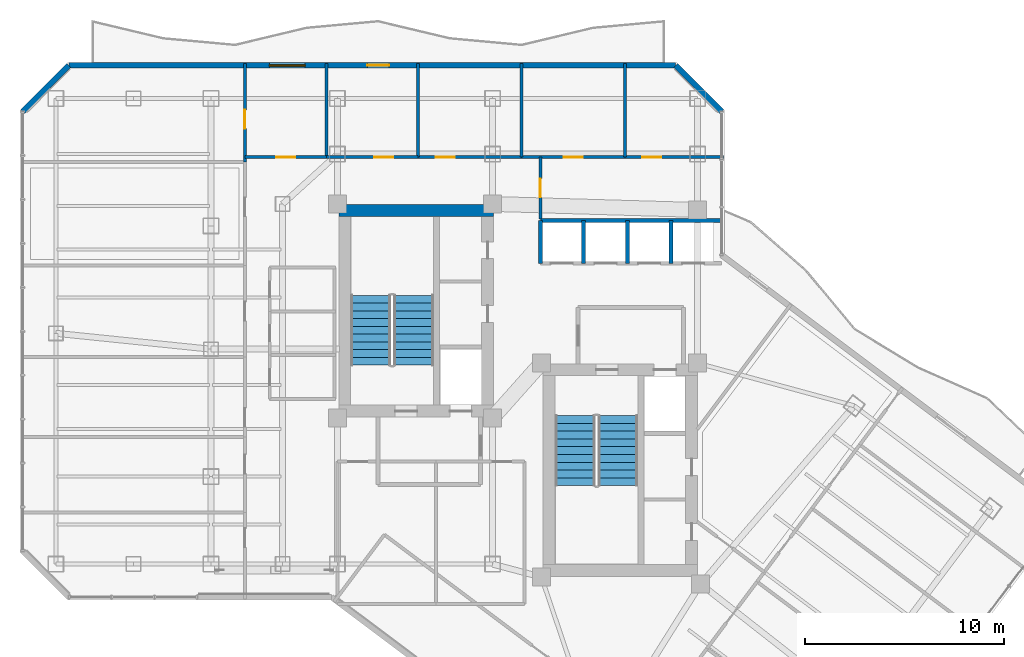
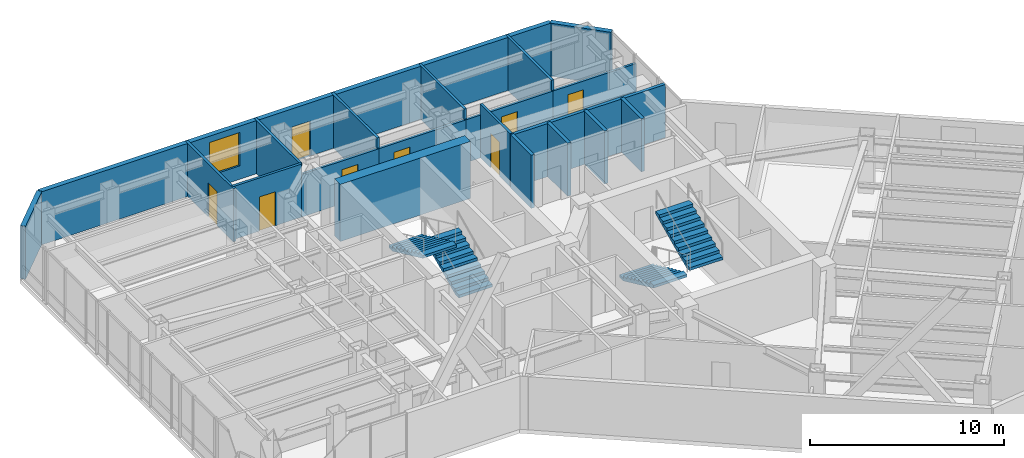
# One storey, part 24 of 27: 20 walls, 8 doors, 4 stair flights, 1 window, 9 openings, 2 elements without a shape of their own.
"""IFC4 building model written with IfcOpenShell, lengths in metres."""

from ifc_helpers import new_model, si_unit, direction, frame, frame_2d, origin, place, context, subcontext, project, spatial, polyline, rectangle, outline, extrude, material, layer, layer_set, type_object, element, fill, aggregate, save


model = new_model("IFC4")

# Units and contexts
model_context = context("Model", 3, precision=1e-05, world=origin(), true_north=direction((0.0, 1.0)))
body_context = subcontext(model_context, "Body", "Model", "MODEL_VIEW")
ifc_project = project(units=[si_unit("LENGTHUNIT", "METRE"), si_unit("AREAUNIT", "SQUARE_METRE"), si_unit("VOLUMEUNIT", "CUBIC_METRE"), si_unit("PLANEANGLEUNIT", "RADIAN"), si_unit("MASSUNIT", "GRAM", prefix="KILO")], contexts=[model_context])

# Site, building, storey
site_placement = place(None, origin())
site = spatial("IfcSite", under=ifc_project, at=site_placement, CompositionType="ELEMENT")
building_placement = place(site_placement, origin())
building = spatial("IfcBuilding", under=site, at=building_placement, Name="Hatsunagi Terrace Concourse", CompositionType="ELEMENT")
storey_placement = place(building_placement, frame((0.0, 0.0, 167.25)))
storey = spatial("IfcBuildingStorey", under=building, at=storey_placement, Name="L44", CompositionType="ELEMENT", Elevation=167.25)

# Wall
ifc_material_1 = material(Name="Concrete Fc48", Category="concrete")
ifc_layer_1 = layer(ifc_material_1, 0.60009765625)
ifc_layer_set_1 = layer_set([ifc_layer_1], Name="CoreShearWall_Fc48_600")
wall_type_1 = type_object("IfcWallType", Name="CoreShearWall_Fc48_600", PredefinedType="SHEAR", material=ifc_layer_set_1)
wall_1_placement = place(storey_placement, frame((25.6201171875, 42.969970703125, 0.0), z_axis=(0.0, 0.0, 1.0), x_axis=(1.0, 0.0, 0.0)))
element("IfcWall", 1, at=wall_1_placement, inside=storey, type_object=wall_type_1, Name="Core A Shear Wall N L44", PredefinedType="SHEAR", context=body_context, shape_type="SweptSolid", body=[
    extrude(rectangle(XDim=7.77978515625, YDim=0.60009765625, at=frame_2d((3.889892578125, 0.0))), origin(), (0.0, 0.0, 1.0), 3.60009765625),
])

# Wall, opening, door
ifc_material_2 = material(Name="Acoustic mineral board", Category="gypsum")
ifc_layer_2 = layer(ifc_material_2, 0.14990234375)
ifc_layer_set_2 = layer_set([ifc_layer_2], Name="PartitionWall_EI60_150")
wall_type_2 = type_object("IfcWallType", Name="PartitionWall_EI60_150", PredefinedType="PARTITIONING", material=ifc_layer_set_2)
wall_2_placement = place(storey_placement, frame((20.89990234375, 45.39990234375, 0.0), z_axis=(0.0, 0.0, 1.0), x_axis=(0.0, 1.0, 0.0)))
wall_2 = element("IfcWall", 2, at=wall_2_placement, inside=storey, type_object=wall_type_2, Name="Interior Partition IW-L44-042", PredefinedType="PARTITIONING", context=body_context, shape_type="SweptSolid", body=[
    extrude(rectangle(XDim=4.960205078125, YDim=0.14990234375, at=frame_2d((2.47998046875, 0.0))), origin(), (0.0, 0.0, 1.0), 3.35009765625),
])
opening_1_placement = place(wall_2_placement, frame((1.679931640625, 0.0, 0.0)))
opening_1 = element("IfcOpeningElement", 3, at=opening_1_placement, cuts=wall_2, Name="Opening DR-095", PredefinedType="OPENING", context=body_context, shape_type="SweptSolid", body=[
    extrude(rectangle(XDim=0.949951171875, YDim=2.14990234375, at=frame_2d((0.47509765625, 1.074951171875))), frame((0.0, 0.0849609375, 0.0), z_axis=(0.0, -1.0, 0.0), x_axis=(1.0, 0.0, 0.0)), (0.0, 0.0, 1.0), 0.169921875),
])
ifc_material_3 = material(Name="Hardwood timber", Category="wood")
door_type_1 = type_object("IfcDoorType", Name="InteriorSuiteDoor_EI30_950", OperationType="NOTDEFINED", PredefinedType="DOOR", material=ifc_material_3)
door_1_placement = place(opening_1_placement, origin())
door_1 = element("IfcDoor", 4, at=door_1_placement, inside=storey, type_object=door_type_1, Name="Meeting Room L44-OW6 Door", OperationType="SINGLE_SWING_RIGHT", OverallHeight=2.14990234375, OverallWidth=0.949951171875, PredefinedType="DOOR", context=body_context, shape_type="SweptSolid", body=[
    extrude(rectangle(XDim=0.949951171875, YDim=2.14990234375, at=frame_2d((0.47509765625, 1.074951171875))), frame((0.0, 0.02490234375, 0.0), z_axis=(0.0, -1.0, 0.0), x_axis=(1.0, 0.0, 0.0)), (0.0, 0.0, 1.0), 0.050048828125),
])
fill(opening_1, door_1)

wall_3_placement = place(storey_placement, frame((20.89990234375, 45.64990234375, 0.0), z_axis=(0.0, 0.0, 1.0), x_axis=(1.0, 0.0, 0.0)))
wall_3 = element("IfcWall", 5, at=wall_3_placement, inside=storey, type_object=wall_type_2, Name="Interior Partition IW-L44-043", PredefinedType="PARTITIONING", context=body_context, shape_type="SweptSolid", body=[
    extrude(rectangle(XDim=4.10009765625, YDim=0.14990234375, at=frame_2d((2.050048828125, 0.0))), origin(), (0.0, 0.0, 1.0), 3.35009765625),
])
opening_2_placement = place(wall_3_placement, frame((1.574951171875, 0.0, 0.0)))
opening_2 = element("IfcOpeningElement", 6, at=opening_2_placement, cuts=wall_3, Name="Opening DR-095", PredefinedType="OPENING", context=body_context, shape_type="SweptSolid", body=[
    extrude(rectangle(XDim=0.949951171875, YDim=2.14990234375, at=frame_2d((0.47509765625, 1.074951171875))), frame((0.0, 0.0849609375, 0.0), z_axis=(0.0, -1.0, 0.0), x_axis=(1.0, 0.0, 0.0)), (0.0, 0.0, 1.0), 0.169921875),
])
door_2_placement = place(opening_2_placement, origin())
door_2 = element("IfcDoor", 7, at=door_2_placement, inside=storey, type_object=door_type_1, Name="Executive Briefing Room L44-ON1 Door", OperationType="SINGLE_SWING_LEFT", OverallHeight=2.14990234375, OverallWidth=0.949951171875, PredefinedType="DOOR", context=body_context, shape_type="SweptSolid", body=[
    extrude(rectangle(XDim=0.949951171875, YDim=2.14990234375, at=frame_2d((0.47509765625, 1.074951171875))), frame((0.0, 0.02490234375, 0.0), z_axis=(0.0, -1.0, 0.0), x_axis=(1.0, 0.0, 0.0)), (0.0, 0.0, 1.0), 0.050048828125),
])
fill(opening_2, door_2)

# Wall
wall_4_placement = place(storey_placement, frame((25.0, 45.64990234375, 0.0), z_axis=(0.0, 0.0, 1.0), x_axis=(0.0, 1.0, 0.0)))
element("IfcWall", 8, at=wall_4_placement, inside=storey, type_object=wall_type_2, Name="Interior Partition IW-L44-044", PredefinedType="PARTITIONING", context=body_context, shape_type="SweptSolid", body=[
    extrude(rectangle(XDim=4.710205078125, YDim=0.14990234375, at=frame_2d((2.35498046875, 0.0))), origin(), (0.0, 0.0, 1.0), 3.35009765625),
])

# Wall, opening, door
wall_5_placement = place(storey_placement, frame((25.0, 45.64990234375, 0.0), z_axis=(0.0, 0.0, 1.0), x_axis=(1.0, 0.0, 0.0)))
wall_5 = element("IfcWall", 9, at=wall_5_placement, inside=storey, type_object=wall_type_2, Name="Interior Partition IW-L44-045", PredefinedType="PARTITIONING", context=body_context, shape_type="SweptSolid", body=[
    extrude(rectangle(XDim=4.60009765625, YDim=0.14990234375, at=frame_2d((2.300048828125, 0.0))), origin(), (0.0, 0.0, 1.0), 2.695068359375),
])
opening_3_placement = place(wall_5_placement, frame((2.403076171875, 0.0, 0.0)))
opening_3 = element("IfcOpeningElement", 10, at=opening_3_placement, cuts=wall_5, Name="Opening DR-095", PredefinedType="OPENING", context=body_context, shape_type="SweptSolid", body=[
    extrude(rectangle(XDim=0.949951171875, YDim=2.14990234375, at=frame_2d((0.47509765625, 1.074951171875))), frame((0.0, 0.0849609375, 0.0), z_axis=(0.0, -1.0, 0.0), x_axis=(1.0, 0.0, 0.0)), (0.0, 0.0, 1.0), 0.169921875),
])
door_3_placement = place(opening_3_placement, origin())
door_3 = element("IfcDoor", 11, at=door_3_placement, inside=storey, type_object=door_type_1, Name="Breakout Pantry L44-ON2 Door", OperationType="SINGLE_SWING_RIGHT", OverallHeight=2.14990234375, OverallWidth=0.949951171875, PredefinedType="DOOR", context=body_context, shape_type="SweptSolid", body=[
    extrude(rectangle(XDim=0.949951171875, YDim=2.14990234375, at=frame_2d((0.47509765625, 1.074951171875))), frame((0.0, 0.02490234375, 0.0), z_axis=(0.0, -1.0, 0.0), x_axis=(1.0, 0.0, 0.0)), (0.0, 0.0, 1.0), 0.050048828125),
])
fill(opening_3, door_3)

# Wall
wall_6_placement = place(storey_placement, frame((29.60009765625, 45.64990234375, 0.0), z_axis=(0.0, 0.0, 1.0), x_axis=(0.0, 1.0, 0.0)))
element("IfcWall", 12, at=wall_6_placement, inside=storey, type_object=wall_type_2, Name="Interior Partition IW-L44-046", PredefinedType="PARTITIONING", context=body_context, shape_type="SweptSolid", body=[
    extrude(rectangle(XDim=4.710205078125, YDim=0.14990234375, at=frame_2d((2.35498046875, 0.0))), origin(), (0.0, 0.0, 1.0), 3.35009765625),
])

# Wall, opening, door
wall_7_placement = place(storey_placement, frame((29.60009765625, 45.64990234375, 0.0), z_axis=(0.0, 0.0, 1.0), x_axis=(1.0, 0.0, 0.0)))
wall_7 = element("IfcWall", 13, at=wall_7_placement, inside=storey, type_object=wall_type_2, Name="Interior Partition IW-L44-047", PredefinedType="PARTITIONING", context=body_context, shape_type="SweptSolid", body=[
    extrude(rectangle(XDim=5.199951171875, YDim=0.14990234375, at=frame_2d((2.60009765625, 0.0))), origin(), (0.0, 0.0, 1.0), 2.695068359375),
])
opening_4_placement = place(wall_7_placement, frame((0.903076171875, 0.0, 0.0)))
opening_4 = element("IfcOpeningElement", 14, at=opening_4_placement, cuts=wall_7, Name="Opening DR-095", PredefinedType="OPENING", context=body_context, shape_type="SweptSolid", body=[
    extrude(rectangle(XDim=0.949951171875, YDim=2.14990234375, at=frame_2d((0.47509765625, 1.074951171875))), frame((0.0, 0.0849609375, 0.0), z_axis=(0.0, -1.0, 0.0), x_axis=(1.0, 0.0, 0.0)), (0.0, 0.0, 1.0), 0.169921875),
])
door_4_placement = place(opening_4_placement, origin())
door_4 = element("IfcDoor", 15, at=door_4_placement, inside=storey, type_object=door_type_1, Name="Executive Briefing Room L44-ON3 Door", OperationType="SINGLE_SWING_RIGHT", OverallHeight=2.14990234375, OverallWidth=0.949951171875, PredefinedType="DOOR", context=body_context, shape_type="SweptSolid", body=[
    extrude(rectangle(XDim=0.949951171875, YDim=2.14990234375, at=frame_2d((0.47509765625, 1.074951171875))), frame((0.0, 0.02490234375, 0.0), z_axis=(0.0, -1.0, 0.0), x_axis=(1.0, 0.0, 0.0)), (0.0, 0.0, 1.0), 0.050048828125),
])
fill(opening_4, door_4)

# Wall
wall_8_placement = place(storey_placement, frame((34.800048828125, 45.64990234375, 0.0), z_axis=(0.0, 0.0, 1.0), x_axis=(0.0, 1.0, 0.0)))
element("IfcWall", 16, at=wall_8_placement, inside=storey, type_object=wall_type_2, Name="Interior Partition IW-L44-048", PredefinedType="PARTITIONING", context=body_context, shape_type="SweptSolid", body=[
    extrude(rectangle(XDim=4.710205078125, YDim=0.14990234375, at=frame_2d((2.35498046875, 0.0))), origin(), (0.0, 0.0, 1.0), 3.35009765625),
])

# Wall, opening, door
wall_9_placement = place(storey_placement, frame((34.800048828125, 45.64990234375, 0.0), z_axis=(0.0, 0.0, 1.0), x_axis=(1.0, 0.0, 0.0)))
wall_9 = element("IfcWall", 17, at=wall_9_placement, inside=storey, type_object=wall_type_2, Name="Interior Partition IW-L44-049", PredefinedType="PARTITIONING", context=body_context, shape_type="SweptSolid", body=[
    extrude(rectangle(XDim=5.199951171875, YDim=0.14990234375, at=frame_2d((2.60009765625, 0.0))), origin(), (0.0, 0.0, 1.0), 2.695068359375),
])
opening_5_placement = place(wall_9_placement, frame((2.125, 0.0, 0.0)))
opening_5 = element("IfcOpeningElement", 18, at=opening_5_placement, cuts=wall_9, Name="Opening DR-095", PredefinedType="OPENING", context=body_context, shape_type="SweptSolid", body=[
    extrude(rectangle(XDim=0.949951171875, YDim=2.14990234375, at=frame_2d((0.47509765625, 1.074951171875))), frame((0.0, 0.0849609375, 0.0), z_axis=(0.0, -1.0, 0.0), x_axis=(1.0, 0.0, 0.0)), (0.0, 0.0, 1.0), 0.169921875),
])
door_5_placement = place(opening_5_placement, origin())
door_5 = element("IfcDoor", 19, at=door_5_placement, inside=storey, type_object=door_type_1, Name="Breakout Pantry L44-ON4 Door", OperationType="SINGLE_SWING_RIGHT", OverallHeight=2.14990234375, OverallWidth=0.949951171875, PredefinedType="DOOR", context=body_context, shape_type="SweptSolid", body=[
    extrude(rectangle(XDim=0.949951171875, YDim=2.14990234375, at=frame_2d((0.47509765625, 1.074951171875))), frame((0.0, 0.02490234375, 0.0), z_axis=(0.0, -1.0, 0.0), x_axis=(1.0, 0.0, 0.0)), (0.0, 0.0, 1.0), 0.050048828125),
])
fill(opening_5, door_5)

# Wall
wall_10_placement = place(storey_placement, frame((40.0, 45.64990234375, 0.0), z_axis=(0.0, 0.0, 1.0), x_axis=(0.0, 1.0, 0.0)))
element("IfcWall", 20, at=wall_10_placement, inside=storey, type_object=wall_type_2, Name="Interior Partition IW-L44-050", PredefinedType="PARTITIONING", context=body_context, shape_type="SweptSolid", body=[
    extrude(rectangle(XDim=4.710205078125, YDim=0.14990234375, at=frame_2d((2.35498046875, 0.0))), origin(), (0.0, 0.0, 1.0), 3.35009765625),
])

# Wall, opening, door
wall_11_placement = place(storey_placement, frame((40.0, 45.64990234375, 0.0), z_axis=(0.0, 0.0, 1.0), x_axis=(1.0, 0.0, 0.0)))
wall_11 = element("IfcWall", 21, at=wall_11_placement, inside=storey, type_object=wall_type_2, Name="Interior Partition IW-L44-051", PredefinedType="PARTITIONING", context=body_context, shape_type="SweptSolid", body=[
    extrude(rectangle(XDim=4.9599609375, YDim=0.14990234375, at=frame_2d((2.47998046875, 0.0))), origin(), (0.0, 0.0, 1.0), 2.695068359375),
])
opening_6_placement = place(wall_11_placement, frame((0.866943359375, 0.0, 0.0)))
opening_6 = element("IfcOpeningElement", 22, at=opening_6_placement, cuts=wall_11, Name="Opening DR-095", PredefinedType="OPENING", context=body_context, shape_type="SweptSolid", body=[
    extrude(rectangle(XDim=0.949951171875, YDim=2.14990234375, at=frame_2d((0.47509765625, 1.074951171875))), frame((0.0, 0.0849609375, 0.0), z_axis=(0.0, -1.0, 0.0), x_axis=(1.0, 0.0, 0.0)), (0.0, 0.0, 1.0), 0.169921875),
])
door_6_placement = place(opening_6_placement, origin())
door_6 = element("IfcDoor", 23, at=door_6_placement, inside=storey, type_object=door_type_1, Name="Executive Briefing Room L44-ON5 Door", OperationType="SINGLE_SWING_RIGHT", OverallHeight=2.14990234375, OverallWidth=0.949951171875, PredefinedType="DOOR", context=body_context, shape_type="SweptSolid", body=[
    extrude(rectangle(XDim=0.949951171875, YDim=2.14990234375, at=frame_2d((0.47509765625, 1.074951171875))), frame((0.0, 0.02490234375, 0.0), z_axis=(0.0, -1.0, 0.0), x_axis=(1.0, 0.0, 0.0)), (0.0, 0.0, 1.0), 0.050048828125),
])
fill(opening_6, door_6)

wall_12_placement = place(storey_placement, frame((35.75, 42.550048828125, 0.0), z_axis=(0.0, 0.0, 1.0), x_axis=(0.0, 1.0, 0.0)))
wall_12 = element("IfcWall", 24, at=wall_12_placement, inside=storey, type_object=wall_type_2, Name="Interior Partition IW-L44-064", PredefinedType="PARTITIONING", context=body_context, shape_type="SweptSolid", body=[
    extrude(rectangle(XDim=3.099853515625, YDim=0.14990234375, at=frame_2d((1.5498046875, 0.0))), origin(), (0.0, 0.0, 1.0), 3.35009765625),
])
opening_7_placement = place(wall_12_placement, frame((1.074951171875, 0.0, 0.0)))
opening_7 = element("IfcOpeningElement", 25, at=opening_7_placement, cuts=wall_12, Name="Opening DR-095", PredefinedType="OPENING", context=body_context, shape_type="SweptSolid", body=[
    extrude(rectangle(XDim=0.949951171875, YDim=2.14990234375, at=frame_2d((0.47509765625, 1.074951171875))), frame((0.0, 0.0849609375, 0.0), z_axis=(0.0, -1.0, 0.0), x_axis=(1.0, 0.0, 0.0)), (0.0, 0.0, 1.0), 0.169921875),
])
door_7_placement = place(opening_7_placement, origin())
door_7 = element("IfcDoor", 26, at=door_7_placement, inside=storey, type_object=door_type_1, Name="Executive Briefing Room L44-ONEB Door", OperationType="SINGLE_SWING_RIGHT", OverallHeight=2.14990234375, OverallWidth=0.949951171875, PredefinedType="DOOR", context=body_context, shape_type="SweptSolid", body=[
    extrude(rectangle(XDim=0.949951171875, YDim=2.14990234375, at=frame_2d((0.47509765625, 1.074951171875))), frame((0.0, 0.02490234375, 0.0), z_axis=(0.0, -1.0, 0.0), x_axis=(1.0, 0.0, 0.0)), (0.0, 0.0, 1.0), 0.050048828125),
])
fill(opening_7, door_7)

# Walls
ifc_material_4 = material(Name="Acoustic mineral board", Category="gypsum")
ifc_layer_3 = layer(ifc_material_4, 0.199951171875)
ifc_layer_set_3 = layer_set([ifc_layer_3], Name="ShaftWall_EI120_200")
wall_type_3 = type_object("IfcWallType", Name="ShaftWall_EI120_200", PredefinedType="STANDARD", material=ifc_layer_set_3)
wall_13_placement = place(storey_placement, frame((35.75, 42.47998046875, 0.0), z_axis=(0.0, 0.0, 1.0), x_axis=(1.0, 0.0, 0.0)))
element("IfcWall", 27, at=wall_13_placement, inside=storey, type_object=wall_type_3, Name="Interior Partition IW-L44-011", PredefinedType="STANDARD", context=body_context, shape_type="SweptSolid", body=[
    extrude(rectangle(XDim=9.110107421875, YDim=0.199951171875, at=frame_2d((4.55517578125, 0.0))), origin(), (0.0, 0.0, 1.0), 3.35009765625),
])
for number, where, z_axis, x_axis, name in (
    (28, (35.75, 40.320068359375, 0.0), (0.0, 0.0, 1.0), (0.0, 1.0, 0.0), "Interior Partition IW-L44-012"),
    (29, (37.919921875, 40.320068359375, 0.0), (0.0, 0.0, 1.0), (0.0, 1.0, 0.0), "Interior Partition IW-L44-013"),
    (30, (40.1201171875, 40.320068359375, 0.0), (0.0, 0.0, 1.0), (0.0, 1.0, 0.0), "Interior Partition IW-L44-014"),
    (31, (42.320068359375, 40.320068359375, 0.0), (0.0, 0.0, 1.0), (0.0, 1.0, 0.0), "Interior Partition IW-L44-015"),
):
    element("IfcWall", number, at=place(storey_placement, frame(where, z_axis=z_axis, x_axis=x_axis)), inside=storey, type_object=wall_type_3, Name=name, PredefinedType="STANDARD", context=body_context, shape_type="SweptSolid", body=[
        extrude(rectangle(XDim=2.159912109375, YDim=0.199951171875, at=frame_2d((1.080078125, 0.0))), origin(), (0.0, 0.0, 1.0), 3.35009765625),
    ])
ifc_material_5 = material(Name="Autoclaved Lightweight Concrete and Terracotta Cladding", Category="masonry")
ifc_layer_4 = layer(ifc_material_5, 0.280029296875)
ifc_layer_set_4 = layer_set([ifc_layer_4], Name="TerracottaSpandrelWall_280")
wall_type_4 = type_object("IfcWallType", Name="TerracottaSpandrelWall_280", PredefinedType="STANDARD", material=ifc_layer_set_4)
wall_14_placement = place(storey_placement, frame((9.739990234375, 47.94189453125, 0.0), z_axis=(0.0, 0.0, 1.0), x_axis=(0.707106781187, 0.707106781187, 0.0)))
element("IfcWall", 32, at=wall_14_placement, inside=storey, type_object=wall_type_4, Name="Exterior Spandrel Wall EW-L44-10", PredefinedType="STANDARD", context=body_context, shape_type="SweptSolid", body=[
    extrude(rectangle(XDim=3.2783203125, YDim=0.280029296875, at=frame_2d((1.63916015625, 0.0))), origin(), (0.0, 0.0, 1.0), 3.35009765625),
])

# Wall, openings, door, window
wall_15_placement = place(storey_placement, frame((12.05810546875, 50.260009765625, 0.0), z_axis=(0.0, 0.0, 1.0), x_axis=(1.0, 0.0, 0.0)))
wall_15 = element("IfcWall", 33, at=wall_15_placement, inside=storey, type_object=wall_type_4, Name="Exterior Spandrel Wall EW-L44-11", PredefinedType="STANDARD", context=body_context, shape_type="SweptSolid", body=[
    extrude(rectangle(XDim=30.48388671875, YDim=0.280029296875, at=frame_2d((15.241943359375, 0.0))), origin(), (0.0, 0.0, 1.0), 3.35009765625),
])
opening_8_placement = place(wall_15_placement, frame((14.991943359375, 0.0, 0.0)))
opening_8 = element("IfcOpeningElement", 34, at=opening_8_placement, cuts=wall_15, Name="Opening BD-01", PredefinedType="OPENING", context=body_context, shape_type="SweptSolid", body=[
    extrude(rectangle(XDim=1.10009765625, YDim=2.199951171875, at=frame_2d((0.550048828125, 1.10009765625))), frame((0.0, 0.14990234375, 0.0), z_axis=(0.0, -1.0, 0.0), x_axis=(1.0, 0.0, 0.0)), (0.0, 0.0, 1.0), 0.300048828125),
])
opening_9_placement = place(wall_15_placement, frame((10.073974609375, 0.0, 0.85009765625)))
opening_9 = element("IfcOpeningElement", 35, at=opening_9_placement, cuts=wall_15, Name="Opening WIN-03", PredefinedType="OPENING", context=body_context, shape_type="SweptSolid", body=[
    extrude(rectangle(XDim=1.800048828125, YDim=2.10009765625, at=frame_2d((0.89990234375, 1.050048828125))), frame((0.0, 0.14990234375, 0.0), z_axis=(0.0, -1.0, 0.0), x_axis=(1.0, 0.0, 0.0)), (0.0, 0.0, 1.0), 0.300048828125),
])
ifc_material_6 = material(Name="Galvanised Steel and Laminated Safety Glass", Category="steel")
door_type_2 = type_object("IfcDoorType", Name="BalconyTerraceAccessDoor_1100x2200", OperationType="SINGLE_SWING_LEFT", PredefinedType="DOOR", material=ifc_material_6)
door_8_placement = place(opening_8_placement, origin())
door_8 = element("IfcDoor", 36, at=door_8_placement, inside=storey, type_object=door_type_2, Name="Engawa Balcony Door L44-BN", OperationType="SINGLE_SWING_RIGHT", OverallHeight=2.199951171875, OverallWidth=1.10009765625, PredefinedType="DOOR", context=body_context, shape_type="SweptSolid", body=[
    extrude(rectangle(XDim=1.10009765625, YDim=2.199951171875, at=frame_2d((0.550048828125, 1.10009765625))), frame((0.0, 0.02490234375, 0.0), z_axis=(0.0, -1.0, 0.0), x_axis=(1.0, 0.0, 0.0)), (0.0, 0.0, 1.0), 0.050048828125),
])
fill(opening_8, door_8)
ifc_material_7 = material(Name="Thermally Broken Aluminium and Low-E Triple Glazing", Category="aluminium")
window_type = type_object("IfcWindowType", Name="OfficeCornerFeatureWindow_1800x2100", PartitioningType="SINGLE_PANEL", PredefinedType="WINDOW", material=ifc_material_7)
window_placement = place(opening_9_placement, origin())
window = element("IfcWindow", 37, at=window_placement, inside=storey, type_object=window_type, Name="Balcony Daylighting Window L44-11-1", OverallHeight=2.10009765625, OverallWidth=1.800048828125, PartitioningType="SINGLE_PANEL", PredefinedType="WINDOW", context=body_context, shape_type="SweptSolid", body=[
    extrude(rectangle(XDim=1.800048828125, YDim=2.10009765625, at=frame_2d((0.89990234375, 1.050048828125))), frame((0.0, 0.030029296875, 0.0), z_axis=(0.0, -1.0, 0.0), x_axis=(1.0, 0.0, 0.0)), (0.0, 0.0, 1.0), 0.06005859375),
])
fill(opening_9, window)

# Wall
wall_16_placement = place(storey_placement, frame((42.5419921875, 50.260009765625, 0.0), z_axis=(0.0, 0.0, 1.0), x_axis=(0.707106781187, -0.707106781187, 0.0)))
element("IfcWall", 38, at=wall_16_placement, inside=storey, type_object=wall_type_4, Name="Exterior Spandrel Wall EW-L44-12", PredefinedType="STANDARD", context=body_context, shape_type="SweptSolid", body=[
    extrude(rectangle(XDim=3.2783203125, YDim=0.280029296875, at=frame_2d((1.63916015625, 0.0))), origin(), (0.0, 0.0, 1.0), 3.35009765625),
])

# Stair, stair flights
ifc_material_8 = material(Name="Concrete Fc42", Category="concrete")
stair_type = type_object("IfcStairType", Name="DoglegExitStair_Tower2000_20R_180", PredefinedType="HALF_TURN_STAIR", material=ifc_material_8)
stair_1_placement = place(storey_placement, origin())
stair_1 = element("IfcStair", 39, at=stair_1_placement, inside=storey, type_object=stair_type, Name="L44 Core A Protected Exit Stair ST-A", PredefinedType="HALF_TURN_STAIR")
ifc_material_9 = material(Name="Concrete Fc42", Category="concrete")
stair_flight_type = type_object("IfcStairFlightType", Name="DoglegStairFlight_Tower2000_20R_180", PredefinedType="STRAIGHT", material=ifc_material_9)
stair_flight_1_placement = place(storey_placement, frame((29.3798828125, 35.199951171875, 0.0), z_axis=(0.0, 0.0, 1.0), x_axis=(0.0, 1.0, 0.0)))
stair_flight_1 = element("IfcStairFlight", 40, at=stair_flight_1_placement, type_object=stair_flight_type, Name="ST-A flight 1", NumberOfRisers=10, NumberOfTreads=9, PredefinedType="STRAIGHT", RiserHeight=0.18, TreadLength=0.39, context=body_context, shape_type="SweptSolid", body=[
    extrude(outline(polyline([(0.0, 0.0), (0.0, 0.179931640625), (0.389892578125, 0.179931640625), (0.389892578125, 0.360107421875), (0.780029296875, 0.360107421875), (0.780029296875, 0.5400390625), (1.169921875, 0.5400390625), (1.169921875, 0.719970703125), (1.56005859375, 0.719970703125), (1.56005859375, 0.89990234375), (1.949951171875, 0.89990234375), (1.949951171875, 1.080078125), (2.340087890625, 1.080078125), (2.340087890625, 1.260009765625), (2.72998046875, 1.260009765625), (2.72998046875, 1.43994140625), (3.1201171875, 1.43994140625), (3.1201171875, 1.6201171875), (3.510009765625, 1.6201171875), (3.510009765625, 1.800048828125), (3.510009765625, 1.454833984375), (0.357666015625, 0.0), (0.0, 0.0)])), frame((0.0, 1.0, 0.0), z_axis=(0.0, -1.0, 0.0), x_axis=(1.0, 0.0, 0.0)), (0.0, 0.0, 1.0), 2.0),
])
stair_flight_2_placement = place(storey_placement, frame((27.22998046875, 38.7099609375, 1.800048828125), z_axis=(0.0, 0.0, 1.0), x_axis=(0.0, -1.0, 0.0)))
stair_flight_2 = element("IfcStairFlight", 41, at=stair_flight_2_placement, type_object=stair_flight_type, Name="ST-A flight 2", NumberOfRisers=10, NumberOfTreads=9, PredefinedType="STRAIGHT", RiserHeight=0.18, TreadLength=0.39, context=body_context, shape_type="SweptSolid", body=[
    extrude(outline(polyline([(0.0, 0.0), (0.0, 0.179931640625), (0.389892578125, 0.179931640625), (0.389892578125, 0.360107421875), (0.780029296875, 0.360107421875), (0.780029296875, 0.5400390625), (1.169921875, 0.5400390625), (1.169921875, 0.719970703125), (1.56005859375, 0.719970703125), (1.56005859375, 0.89990234375), (1.949951171875, 0.89990234375), (1.949951171875, 1.080078125), (2.340087890625, 1.080078125), (2.340087890625, 1.260009765625), (2.72998046875, 1.260009765625), (2.72998046875, 1.43994140625), (3.1201171875, 1.43994140625), (3.1201171875, 1.6201171875), (3.510009765625, 1.6201171875), (3.510009765625, 1.800048828125), (3.510009765625, 1.454833984375), (0.357666015625, 0.0), (0.0, 0.0)])), frame((0.0, 1.0, 0.0), z_axis=(0.0, -1.0, 0.0), x_axis=(1.0, 0.0, 0.0)), (0.0, 0.0, 1.0), 2.0),
])
aggregate(stair_1, [stair_flight_1, stair_flight_2])

stair_2_placement = place(storey_placement, origin())
stair_2 = element("IfcStair", 42, at=stair_2_placement, inside=storey, type_object=stair_type, Name="L44 Core B Protected Exit Stair ST-B", PredefinedType="HALF_TURN_STAIR")
stair_flight_3_placement = place(storey_placement, frame((37.5, 32.659912109375, 0.0), z_axis=(0.0, 0.0, 1.0), x_axis=(0.0, -1.0, 0.0)))
stair_flight_3 = element("IfcStairFlight", 43, at=stair_flight_3_placement, type_object=stair_flight_type, Name="ST-B flight 1", NumberOfRisers=10, NumberOfTreads=9, PredefinedType="STRAIGHT", RiserHeight=0.18, TreadLength=0.39, context=body_context, shape_type="SweptSolid", body=[
    extrude(outline(polyline([(0.0, 0.0), (0.0, 0.179931640625), (0.389892578125, 0.179931640625), (0.389892578125, 0.360107421875), (0.780029296875, 0.360107421875), (0.780029296875, 0.5400390625), (1.169921875, 0.5400390625), (1.169921875, 0.719970703125), (1.56005859375, 0.719970703125), (1.56005859375, 0.89990234375), (1.949951171875, 0.89990234375), (1.949951171875, 1.080078125), (2.340087890625, 1.080078125), (2.340087890625, 1.260009765625), (2.72998046875, 1.260009765625), (2.72998046875, 1.43994140625), (3.1201171875, 1.43994140625), (3.1201171875, 1.6201171875), (3.510009765625, 1.6201171875), (3.510009765625, 1.800048828125), (3.510009765625, 1.454833984375), (0.357666015625, 0.0), (0.0, 0.0)])), frame((0.0, 1.0, 0.0), z_axis=(0.0, -1.0, 0.0), x_axis=(1.0, 0.0, 0.0)), (0.0, 0.0, 1.0), 2.0),
])
stair_flight_4_placement = place(storey_placement, frame((39.64990234375, 29.14990234375, 1.800048828125), z_axis=(0.0, 0.0, 1.0), x_axis=(0.0, 1.0, 0.0)))
stair_flight_4 = element("IfcStairFlight", 44, at=stair_flight_4_placement, type_object=stair_flight_type, Name="ST-B flight 2", NumberOfRisers=10, NumberOfTreads=9, PredefinedType="STRAIGHT", RiserHeight=0.18, TreadLength=0.39, context=body_context, shape_type="SweptSolid", body=[
    extrude(outline(polyline([(0.0, 0.0), (0.0, 0.179931640625), (0.389892578125, 0.179931640625), (0.389892578125, 0.360107421875), (0.780029296875, 0.360107421875), (0.780029296875, 0.5400390625), (1.169921875, 0.5400390625), (1.169921875, 0.719970703125), (1.56005859375, 0.719970703125), (1.56005859375, 0.89990234375), (1.949951171875, 0.89990234375), (1.949951171875, 1.080078125), (2.340087890625, 1.080078125), (2.340087890625, 1.260009765625), (2.72998046875, 1.260009765625), (2.72998046875, 1.43994140625), (3.1201171875, 1.43994140625), (3.1201171875, 1.6201171875), (3.510009765625, 1.6201171875), (3.510009765625, 1.800048828125), (3.510009765625, 1.454833984375), (0.357666015625, 0.0), (0.0, 0.0)])), frame((0.0, 1.0, 0.0), z_axis=(0.0, -1.0, 0.0), x_axis=(1.0, 0.0, 0.0)), (0.0, 0.0, 1.0), 2.0),
])
aggregate(stair_2, [stair_flight_3, stair_flight_4])

save(model, "model.ifc")
